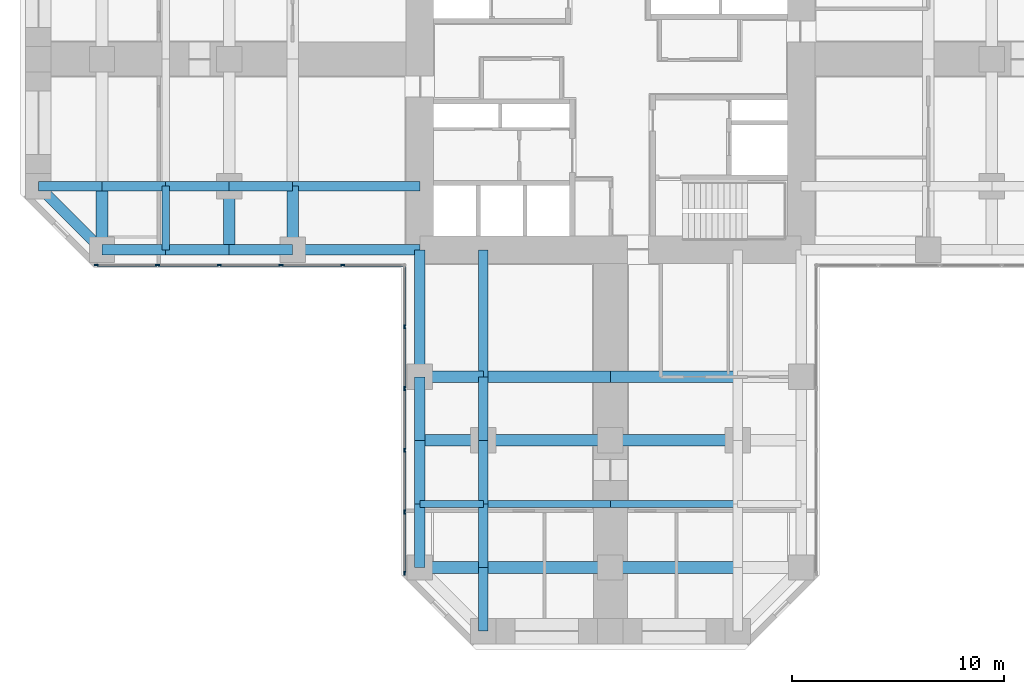
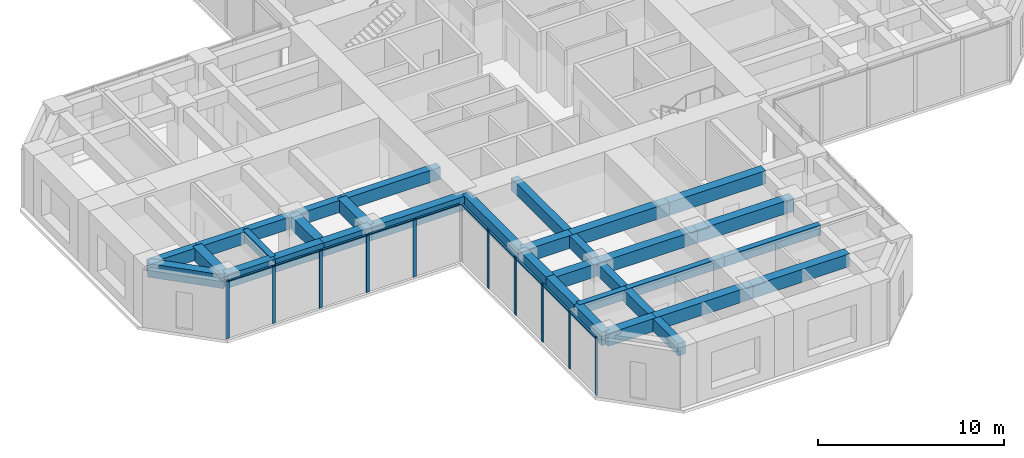
# One storey, part 2 of 13: 35 beams, 20 members, 2 elements without a shape of their own.
"""IFC4 building model written with IfcOpenShell, lengths in metres."""

import ifcopenshell
import ifcopenshell.guid

model = None  # the IFC model being written
_history = None  # IfcOwnerHistory: only IFC2X3 demands one
_inside = {}  # id of a spatial element -> (the spatial element, [elements in it])
_under = {}  # id of a project, library or spatial element -> (it, [spatial elements below it])
_declared = {}  # id of a project -> (the project, [libraries it declares])
_typed = {}  # id of a type object -> (the type object, [elements of that type])
_made_of = {}  # id of a material, layer set ... -> (it, [elements and type objects made of it])


def new_model(schema):
    """Start an empty IFC model of exactly this schema.

    Asked for "IFC4X3", IfcOpenShell would pick the latest addendum, in which some entities
    have other attributes; the version numbers below select the first issue.
    IFC2X3 requires an IfcOwnerHistory on every rooted entity: one is made here for all.
    """
    global model, _history
    if schema == "IFC4X3":
        model = ifcopenshell.file(schema_version=(4, 3, 0, 0))
    else:
        model = ifcopenshell.file(schema=schema)
    _inside.clear()
    _under.clear()
    _declared.clear()
    _typed.clear()
    _made_of.clear()
    _history = None
    if model.schema == "IFC2X3":
        org = make("IfcOrganization", Name="unknown")
        user = make(
            "IfcPersonAndOrganization",
            ThePerson=make("IfcPerson", FamilyName="unknown"),
            TheOrganization=org,
        )
        app = make(
            "IfcApplication",
            ApplicationDeveloper=org,
            Version="unknown",
            ApplicationFullName="unknown",
            ApplicationIdentifier="unknown",
        )
        _history = make(
            "IfcOwnerHistory",
            OwningUser=user,
            OwningApplication=app,
            ChangeAction="ADDED",
            CreationDate=0,
        )
    return model


def make(cls, **values):
    """One entity of the class cls with the attributes given. An attribute that is None is left unset."""
    return model.create_entity(
        cls, **{name: value for name, value in values.items() if value is not None}
    )


def rooted(cls, **values):
    """An entity with a GlobalId (a new one), such as an element, a storey or a relation."""
    return make(cls, GlobalId=ifcopenshell.guid.new(), OwnerHistory=_history, **values)


def si_unit(unit_type, name, prefix=None):
    """IfcSIUnit, for example si_unit("LENGTHUNIT", "METRE", prefix="MILLI")."""
    return make("IfcSIUnit", UnitType=unit_type, Prefix=prefix, Name=name)


def assignment(units):
    """IfcUnitAssignment: the units of a project."""
    return None if units is None else make("IfcUnitAssignment", Units=units)


def point(xyz):
    """IfcCartesianPoint."""
    return None if xyz is None else make("IfcCartesianPoint", Coordinates=xyz)


def direction(xyz):
    """IfcDirection."""
    return None if xyz is None else make("IfcDirection", DirectionRatios=xyz)


def frame(location, z_axis=None, x_axis=None):
    """IfcAxis2Placement3D, a coordinate frame: its origin and axes. An axis left out is left unset."""
    return make(
        "IfcAxis2Placement3D",
        Location=point(location),
        Axis=direction(z_axis),
        RefDirection=direction(x_axis),
    )


def frame_2d(location, x_axis=None):
    """IfcAxis2Placement2D, a coordinate frame in the plane: its origin and x axis."""
    return make(
        "IfcAxis2Placement2D", Location=point(location), RefDirection=direction(x_axis)
    )


def origin():
    """The frame at (0, 0, 0) with its axes left unset."""
    return frame((0.0, 0.0, 0.0))


def origin_2d():
    """The frame at (0, 0) in the plane with its x axis left unset."""
    return frame_2d((0.0, 0.0))


def place(relative_to, where):
    """IfcLocalPlacement: puts the frame where relative to a parent placement (None: the world)."""
    return make(
        "IfcLocalPlacement", PlacementRelTo=relative_to, RelativePlacement=where
    )


def context(
    kind, dimensions, precision=None, world=None, true_north=None, identifier=None
):
    """IfcGeometricRepresentationContext, for example the 3D "Model" context."""
    return make(
        "IfcGeometricRepresentationContext",
        ContextIdentifier=identifier,
        ContextType=kind,
        CoordinateSpaceDimension=dimensions,
        Precision=precision,
        WorldCoordinateSystem=world,
        TrueNorth=true_north,
    )


def subcontext(parent, identifier, kind, view, scale=None):
    """IfcGeometricRepresentationSubContext, for example "Body" below "Model"."""
    return make(
        "IfcGeometricRepresentationSubContext",
        ContextIdentifier=identifier,
        ContextType=kind,
        ParentContext=parent,
        TargetScale=scale,
        TargetView=view,
    )


def project(units=None, contexts=None):
    """IfcProject with its units and contexts."""
    return rooted(
        "IfcProject",
        Name="project",
        RepresentationContexts=contexts,
        UnitsInContext=assignment(units),
    )


def spatial(cls, under=None, at=None, **own):
    """A site, building, storey or space (cls), placed at a placement, below another one or the project."""
    s = rooted(cls, ObjectPlacement=at, **own)
    if under is not None:
        _under.setdefault(under.id(), (under, []))[1].append(s)
    return s


def profile(cls, at=None, kind="AREA", **sizes):
    """A parametric profile (cls). Its sizes go by their IFC names, for example OverallWidth=200.0."""
    return make(cls, ProfileType=kind, Position=at, **sizes)


def rectangle(**sizes):
    """IfcRectangleProfileDef."""
    return profile("IfcRectangleProfileDef", **sizes)


def extrude(swept, where, along, depth):
    """IfcExtrudedAreaSolid: the profile swept, set in the frame where, extruded along a direction by depth."""
    return make(
        "IfcExtrudedAreaSolid",
        SweptArea=swept,
        Position=where,
        ExtrudedDirection=direction(along),
        Depth=depth,
    )


def shape(context_of_items, identifier, shape_type, items):
    """IfcShapeRepresentation: the items that make up one representation, for example the "Body"."""
    return make(
        "IfcShapeRepresentation",
        ContextOfItems=context_of_items,
        RepresentationIdentifier=identifier,
        RepresentationType=shape_type,
        Items=items,
    )


def material(Name=None, Category=None):
    """IfcMaterial."""
    return make("IfcMaterial", Name=Name, Category=Category)


def material_profile(
    of_material, cross_section, Name=None, Category=None, Priority=None
):
    """IfcMaterialProfile: a cross section and its material."""
    return make(
        "IfcMaterialProfile",
        Name=Name,
        Material=of_material,
        Profile=cross_section,
        Priority=Priority,
        Category=Category,
    )


def profile_set(profiles, Name=None, composite=None):
    """IfcMaterialProfileSet."""
    return make(
        "IfcMaterialProfileSet",
        Name=Name,
        MaterialProfiles=profiles,
        CompositeProfile=composite,
    )


def made_of(thing, what):
    """Note that an element or type object is made of a material, layer set ...; save() writes the relation."""
    if what is not None:
        _made_of.setdefault(what.id(), (what, []))[1].append(thing)
    return thing


def type_object(cls, material=None, **own):
    """A type object (cls), such as IfcWallType, which elements share."""
    return made_of(rooted(cls, **own), material)


def element(
    cls,
    number,
    at=None,
    inside=None,
    cuts=None,
    type_object=None,
    material=None,
    context=None,
    identifier="Body",
    shape_type=None,
    held_by="IfcProductDefinitionShape",
    body=None,
    shapes=None,
    **own,
):
    """One element of the class cls, such as IfcWall. Its Tag is "e" and its number.

    at: its placement. inside: the storey or other place that contains it. cuts: it is an
    opening in that element (IfcRelVoidsElement). A single representation is given by context,
    identifier, shape_type and body (its items); several are given by shapes. held_by: the class
    of the entity that holds the representations. save() writes the other relations.
    """
    e = rooted(cls, Tag="e%d" % number, ObjectPlacement=at, **own)
    if body is not None:
        shapes = [shape(context, identifier, shape_type, body)]
    if shapes is not None:
        e.Representation = make(held_by, Representations=shapes)
    if inside is not None:
        _inside.setdefault(inside.id(), (inside, []))[1].append(e)
    if cuts is not None:
        rooted(
            "IfcRelVoidsElement", RelatingBuildingElement=cuts, RelatedOpeningElement=e
        )
    if type_object is not None:
        _typed.setdefault(type_object.id(), (type_object, []))[1].append(e)
    return made_of(e, material)


def aggregate(whole, parts):
    """IfcRelAggregates: a whole, such as a stair, and the parts it consists of."""
    return rooted("IfcRelAggregates", RelatingObject=whole, RelatedObjects=parts)


def save(model, path):
    """Write the relations noted so far, then the file.

    IfcRelAggregates (storeys below a building ...), IfcRelContainedInSpatialStructure (elements
    in a storey), IfcRelDefinesByType, IfcRelAssociatesMaterial and IfcRelDeclares: one each for
    every whole, place, type object, material and project.
    """
    for whole, parts in _under.values():
        aggregate(whole, parts)
    for where, things in _inside.values():
        rooted(
            "IfcRelContainedInSpatialStructure",
            RelatedElements=things,
            RelatingStructure=where,
        )
    for kind, things in _typed.values():
        rooted("IfcRelDefinesByType", RelatedObjects=things, RelatingType=kind)
    for what, things in _made_of.values():
        rooted("IfcRelAssociatesMaterial", RelatedObjects=things, RelatingMaterial=what)
    for by, libraries in _declared.values():
        rooted("IfcRelDeclares", RelatingContext=by, RelatedDefinitions=libraries)
    model.write(path)


model = new_model("IFC4")

# Units and contexts
model_context = context("Model", 3, precision=1e-05, world=origin(), true_north=direction((0.0, 1.0)))
body_context = subcontext(model_context, "Body", "Model", "MODEL_VIEW")
ifc_project = project(units=[si_unit("LENGTHUNIT", "METRE"), si_unit("AREAUNIT", "SQUARE_METRE"), si_unit("VOLUMEUNIT", "CUBIC_METRE"), si_unit("PLANEANGLEUNIT", "RADIAN"), si_unit("MASSUNIT", "GRAM", prefix="KILO")], contexts=[model_context])

# Site, building, storey
site_placement = place(None, origin())
site = spatial("IfcSite", under=ifc_project, at=site_placement, CompositionType="ELEMENT")
building_placement = place(site_placement, origin())
building = spatial("IfcBuilding", under=site, at=building_placement, Name="Torre Cruceta", CompositionType="ELEMENT")
storey_placement = place(building_placement, frame((0.0, 0.0, 27.5)))
storey = spatial("IfcBuildingStorey", under=building, at=storey_placement, Name="L06", CompositionType="ELEMENT", Elevation=27.5)

# Beams
ifc_material_1 = material(Name="Concrete G60 (fck 60 MPa)", Category="concrete")
ifc_material_profile_1 = material_profile(ifc_material_1, rectangle(XDim=0.449951171875, YDim=0.800048828125, at=origin_2d()), Name="RC 450X800")
ifc_profile_set_1 = profile_set([ifc_material_profile_1], Name="Concrete G60 (fck 60 MPa)")
beam_type_1 = type_object("IfcBeamType", Name="COLUMN LINE BEAM RC 450X800", PredefinedType="BEAM", material=ifc_profile_set_1)
beam_1_placement = place(storey_placement, frame((-6.0, -9.0, 3.39990234375), z_axis=(0.0, -1.0, 0.0), x_axis=(1.0, 0.0, 0.0)))
element("IfcBeam", 1, at=beam_1_placement, inside=storey, type_object=beam_type_1, Name="LB1 L06 S col- 1", PredefinedType="BEAM", context=body_context, shape_type="SweptSolid", body=[
    extrude(rectangle(XDim=0.449951171875, YDim=0.800048828125, at=origin_2d()), origin(), (0.0, 0.0, 1.0), 6.0),
])
for number, where, z_axis, x_axis, name in (
    (2, (-6.0, -15.0, 3.39990234375), (0.0, -1.0, 0.0), (1.0, 0.0, 0.0), "LB1 L06 S col- 2"),
    (3, (-6.0, -18.0, 3.39990234375), (0.0, -1.0, 0.0), (1.0, 0.0, 0.0), "LB1 L06 S col- 3"),
    (4, (-6.0, -21.0, 3.39990234375), (0.0, -1.0, 0.0), (1.0, 0.0, 0.0), "LB1 L06 S col- 4"),
    (5, (-6.0, -24.0, 3.39990234375), (0.0, -1.0, 0.0), (1.0, 0.0, 0.0), "LB1 L06 S col- 5"),
):
    element("IfcBeam", number, at=place(storey_placement, frame(where, z_axis=z_axis, x_axis=x_axis)), inside=storey, type_object=beam_type_1, Name=name, PredefinedType="BEAM", context=body_context, shape_type="SweptSolid", body=[
        extrude(rectangle(XDim=0.449951171875, YDim=0.800048828125, at=origin_2d()), origin(), (0.0, 0.0, 1.0), 3.0),
    ])
beam_2_placement = place(storey_placement, frame((-9.0, -6.0, 3.39990234375), z_axis=(-1.0, 0.0, 0.0), x_axis=(0.0, -1.0, 0.0)))
element("IfcBeam", 6, at=beam_2_placement, inside=storey, type_object=beam_type_1, Name="LB1 L06 W col+ 1", PredefinedType="BEAM", context=body_context, shape_type="SweptSolid", body=[
    extrude(rectangle(XDim=0.449951171875, YDim=0.800048828125, at=origin_2d()), origin(), (0.0, 0.0, 1.0), 6.0),
])
for number, where, z_axis, x_axis, name in (
    (7, (-15.0, -6.0, 3.39990234375), (-1.0, 0.0, 0.0), (0.0, -1.0, 0.0), "LB1 L06 W col+ 2"),
    (8, (-18.0, -6.0, 3.39990234375), (-1.0, 0.0, 0.0), (0.0, -1.0, 0.0), "LB1 L06 W col+ 3"),
    (9, (-21.0, -6.0, 3.39990234375), (-1.0, 0.0, 0.0), (0.0, -1.0, 0.0), "LB1 L06 W col+ 4"),
    (10, (-24.0, -6.0, 3.39990234375), (-1.0, 0.0, 0.0), (0.0, -1.0, 0.0), "LB1 L06 W col+ 5"),
):
    element("IfcBeam", number, at=place(storey_placement, frame(where, z_axis=z_axis, x_axis=x_axis)), inside=storey, type_object=beam_type_1, Name=name, PredefinedType="BEAM", context=body_context, shape_type="SweptSolid", body=[
        extrude(rectangle(XDim=0.449951171875, YDim=0.800048828125, at=origin_2d()), origin(), (0.0, 0.0, 1.0), 3.0),
    ])
ifc_material_2 = material(Name="Concrete G60 (fck 60 MPa)", Category="concrete")
ifc_material_profile_2 = material_profile(ifc_material_2, rectangle(XDim=0.550048828125, YDim=0.85009765625, at=origin_2d()), Name="RC 550X850")
ifc_profile_set_2 = profile_set([ifc_material_profile_2], Name="Concrete G60 (fck 60 MPa)")
beam_type_2 = type_object("IfcBeamType", Name="CROSS BEAM RC 550X850", PredefinedType="BEAM", material=ifc_profile_set_2)
beam_3_placement = place(storey_placement, frame((-9.0, -15.0, 3.375), z_axis=(1.0, 0.0, 0.0), x_axis=(0.0, 1.0, 0.0)))
element("IfcBeam", 11, at=beam_3_placement, inside=storey, type_object=beam_type_2, Name="GB4 L06 S cross15 1", PredefinedType="BEAM", context=body_context, shape_type="SweptSolid", body=[
    extrude(rectangle(XDim=0.550048828125, YDim=0.85009765625, at=origin_2d()), origin(), (0.0, 0.0, 1.0), 3.0),
])
for number, where, z_axis, x_axis, name in (
    (12, (-6.0, -15.0, 3.375), (1.0, 0.0, 0.0), (0.0, 1.0, 0.0), "GB4 L06 S cross15 2"),
    (13, (0.0, -15.0, 3.375), (1.0, 0.0, 0.0), (0.0, 1.0, 0.0), "GB4 L06 S cross15 3"),
):
    element("IfcBeam", number, at=place(storey_placement, frame(where, z_axis=z_axis, x_axis=x_axis)), inside=storey, type_object=beam_type_2, Name=name, PredefinedType="BEAM", context=body_context, shape_type="SweptSolid", body=[
        extrude(rectangle(XDim=0.550048828125, YDim=0.85009765625, at=origin_2d()), origin(), (0.0, 0.0, 1.0), 6.0),
    ])
beam_4_placement = place(storey_placement, frame((-9.0, -18.0, 3.375), z_axis=(1.0, 0.0, 0.0), x_axis=(0.0, 1.0, 0.0)))
element("IfcBeam", 14, at=beam_4_placement, inside=storey, type_object=beam_type_2, Name="GB4 L06 S cross18 1", PredefinedType="BEAM", context=body_context, shape_type="SweptSolid", body=[
    extrude(rectangle(XDim=0.550048828125, YDim=0.85009765625, at=origin_2d()), origin(), (0.0, 0.0, 1.0), 3.0),
])
for number, where, z_axis, x_axis, name in (
    (15, (-6.0, -18.0, 3.375), (1.0, 0.0, 0.0), (0.0, 1.0, 0.0), "GB4 L06 S cross18 2"),
    (16, (0.0, -18.0, 3.375), (1.0, 0.0, 0.0), (0.0, 1.0, 0.0), "GB4 L06 S cross18 3"),
):
    element("IfcBeam", number, at=place(storey_placement, frame(where, z_axis=z_axis, x_axis=x_axis)), inside=storey, type_object=beam_type_2, Name=name, PredefinedType="BEAM", context=body_context, shape_type="SweptSolid", body=[
        extrude(rectangle(XDim=0.550048828125, YDim=0.85009765625, at=origin_2d()), origin(), (0.0, 0.0, 1.0), 6.0),
    ])
beam_5_placement = place(storey_placement, frame((-9.0, -24.0, 3.375), z_axis=(1.0, 0.0, 0.0), x_axis=(0.0, 1.0, 0.0)))
element("IfcBeam", 17, at=beam_5_placement, inside=storey, type_object=beam_type_2, Name="GB4 L06 S cross24 1", PredefinedType="BEAM", context=body_context, shape_type="SweptSolid", body=[
    extrude(rectangle(XDim=0.550048828125, YDim=0.85009765625, at=origin_2d()), origin(), (0.0, 0.0, 1.0), 3.0),
])
for number, where, z_axis, x_axis, name in (
    (18, (-6.0, -24.0, 3.375), (1.0, 0.0, 0.0), (0.0, 1.0, 0.0), "GB4 L06 S cross24 2"),
    (19, (0.0, -24.0, 3.375), (1.0, 0.0, 0.0), (0.0, 1.0, 0.0), "GB4 L06 S cross24 3"),
):
    element("IfcBeam", number, at=place(storey_placement, frame(where, z_axis=z_axis, x_axis=x_axis)), inside=storey, type_object=beam_type_2, Name=name, PredefinedType="BEAM", context=body_context, shape_type="SweptSolid", body=[
        extrude(rectangle(XDim=0.550048828125, YDim=0.85009765625, at=origin_2d()), origin(), (0.0, 0.0, 1.0), 6.0),
    ])
for number, where, z_axis, x_axis, name in (
    (20, (-15.0, -6.0, 3.375), (0.0, -1.0, 0.0), (1.0, 0.0, 0.0), "GB4 L06 W cross15 4"),
    (21, (-18.0, -6.0, 3.375), (0.0, -1.0, 0.0), (1.0, 0.0, 0.0), "GB4 L06 W cross18 4"),
    (22, (-24.0, -6.0, 3.375), (0.0, -1.0, 0.0), (1.0, 0.0, 0.0), "GB4 L06 W cross24 4"),
):
    element("IfcBeam", number, at=place(storey_placement, frame(where, z_axis=z_axis, x_axis=x_axis)), inside=storey, type_object=beam_type_2, Name=name, PredefinedType="BEAM", context=body_context, shape_type="SweptSolid", body=[
        extrude(rectangle(XDim=0.550048828125, YDim=0.85009765625, at=origin_2d()), origin(), (0.0, 0.0, 1.0), 3.0),
    ])

# Curtain wall, members
ifc_material_3 = material(Name="Aluminium unitised curtain wall", Category="aluminium")
curtain_wall_type = type_object("IfcCurtainWallType", Name="CURTAIN WALL CW-A OFFICE LOW RISE", PredefinedType="USERDEFINED", material=ifc_material_3)
curtain_wall_1_placement = place(storey_placement, origin())
curtain_wall_1 = element("IfcCurtainWall", 23, at=curtain_wall_1_placement, inside=storey, type_object=curtain_wall_type, Name="CW-A L06 W side 14", ObjectType="UNITISED", PredefinedType="USERDEFINED")
ifc_material_4 = material(Name="Aluminium mullion", Category="aluminium")
ifc_material_profile_3 = material_profile(ifc_material_4, rectangle(XDim=0.06494140625, YDim=0.199951171875, at=origin_2d()), Name="AL 65X200")
ifc_profile_set_3 = profile_set([ifc_material_profile_3], Name="Aluminium mullion")
member_type_1 = type_object("IfcMemberType", Name="CW-A MULLION 65X200", PredefinedType="MULLION", material=ifc_profile_set_3)
member_1_placement = place(storey_placement, frame((-24.265625, -9.719970703125, 0.0), z_axis=(0.0, 0.0, 1.0), x_axis=(0.0, 1.0, 0.0)))
member_1 = element("IfcMember", 24, at=member_1_placement, type_object=member_type_1, Name="CW-A mullion 1", PredefinedType="MULLION", context=body_context, shape_type="SweptSolid", body=[
    extrude(rectangle(XDim=0.06494140625, YDim=0.199951171875, at=origin_2d()), origin(), (0.0, 0.0, 1.0), 3.800048828125),
])
member_2_placement = place(storey_placement, frame((-21.382568359375, -9.719970703125, 0.0), z_axis=(0.0, 0.0, 1.0), x_axis=(0.0, 1.0, 0.0)))
member_2 = element("IfcMember", 25, at=member_2_placement, type_object=member_type_1, Name="CW-A mullion 2", PredefinedType="MULLION", context=body_context, shape_type="SweptSolid", body=[
    extrude(rectangle(XDim=0.06494140625, YDim=0.199951171875, at=origin_2d()), origin(), (0.0, 0.0, 1.0), 3.800048828125),
])
member_3_placement = place(storey_placement, frame((-18.467041015625, -9.719970703125, 0.0), z_axis=(0.0, 0.0, 1.0), x_axis=(0.0, 1.0, 0.0)))
member_3 = element("IfcMember", 26, at=member_3_placement, type_object=member_type_1, Name="CW-A mullion 3", PredefinedType="MULLION", context=body_context, shape_type="SweptSolid", body=[
    extrude(rectangle(XDim=0.06494140625, YDim=0.199951171875, at=origin_2d()), origin(), (0.0, 0.0, 1.0), 3.800048828125),
])
member_4_placement = place(storey_placement, frame((-15.55126953125, -9.719970703125, 0.0), z_axis=(0.0, 0.0, 1.0), x_axis=(0.0, 1.0, 0.0)))
member_4 = element("IfcMember", 27, at=member_4_placement, type_object=member_type_1, Name="CW-A mullion 4", PredefinedType="MULLION", context=body_context, shape_type="SweptSolid", body=[
    extrude(rectangle(XDim=0.06494140625, YDim=0.199951171875, at=origin_2d()), origin(), (0.0, 0.0, 1.0), 3.800048828125),
])
member_5_placement = place(storey_placement, frame((-12.6357421875, -9.719970703125, 0.0), z_axis=(0.0, 0.0, 1.0), x_axis=(0.0, 1.0, 0.0)))
member_5 = element("IfcMember", 28, at=member_5_placement, type_object=member_type_1, Name="CW-A mullion 5", PredefinedType="MULLION", context=body_context, shape_type="SweptSolid", body=[
    extrude(rectangle(XDim=0.06494140625, YDim=0.199951171875, at=origin_2d()), origin(), (0.0, 0.0, 1.0), 3.800048828125),
])

curtain_wall_2_placement = place(storey_placement, origin())
curtain_wall_2 = element("IfcCurtainWall", 29, at=curtain_wall_2_placement, inside=storey, type_object=curtain_wall_type, Name="CW-A L06 S side 15", ObjectType="UNITISED", PredefinedType="USERDEFINED")
member_6_placement = place(storey_placement, frame((-9.719970703125, -12.6357421875, 0.0), z_axis=(0.0, 0.0, 1.0), x_axis=(1.0, 0.0, 0.0)))
member_6 = element("IfcMember", 30, at=member_6_placement, type_object=member_type_1, Name="CW-A mullion 2", PredefinedType="MULLION", context=body_context, shape_type="SweptSolid", body=[
    extrude(rectangle(XDim=0.06494140625, YDim=0.199951171875, at=origin_2d()), origin(), (0.0, 0.0, 1.0), 3.800048828125),
])
member_7_placement = place(storey_placement, frame((-9.719970703125, -15.55126953125, 0.0), z_axis=(0.0, 0.0, 1.0), x_axis=(1.0, 0.0, 0.0)))
member_7 = element("IfcMember", 31, at=member_7_placement, type_object=member_type_1, Name="CW-A mullion 3", PredefinedType="MULLION", context=body_context, shape_type="SweptSolid", body=[
    extrude(rectangle(XDim=0.06494140625, YDim=0.199951171875, at=origin_2d()), origin(), (0.0, 0.0, 1.0), 3.800048828125),
])
member_8_placement = place(storey_placement, frame((-9.719970703125, -18.467041015625, 0.0), z_axis=(0.0, 0.0, 1.0), x_axis=(1.0, 0.0, 0.0)))
member_8 = element("IfcMember", 32, at=member_8_placement, type_object=member_type_1, Name="CW-A mullion 4", PredefinedType="MULLION", context=body_context, shape_type="SweptSolid", body=[
    extrude(rectangle(XDim=0.06494140625, YDim=0.199951171875, at=origin_2d()), origin(), (0.0, 0.0, 1.0), 3.800048828125),
])
member_9_placement = place(storey_placement, frame((-9.719970703125, -21.382568359375, 0.0), z_axis=(0.0, 0.0, 1.0), x_axis=(1.0, 0.0, 0.0)))
member_9 = element("IfcMember", 33, at=member_9_placement, type_object=member_type_1, Name="CW-A mullion 5", PredefinedType="MULLION", context=body_context, shape_type="SweptSolid", body=[
    extrude(rectangle(XDim=0.06494140625, YDim=0.199951171875, at=origin_2d()), origin(), (0.0, 0.0, 1.0), 3.800048828125),
])
member_10_placement = place(storey_placement, frame((-9.719970703125, -24.265625, 0.0), z_axis=(0.0, 0.0, 1.0), x_axis=(1.0, 0.0, 0.0)))
member_10 = element("IfcMember", 34, at=member_10_placement, type_object=member_type_1, Name="CW-A mullion 6", PredefinedType="MULLION", context=body_context, shape_type="SweptSolid", body=[
    extrude(rectangle(XDim=0.06494140625, YDim=0.199951171875, at=origin_2d()), origin(), (0.0, 0.0, 1.0), 3.800048828125),
])

# Member
ifc_material_5 = material(Name="Aluminium transom", Category="aluminium")
ifc_material_profile_4 = material_profile(ifc_material_5, rectangle(XDim=0.1201171875, YDim=0.06494140625, at=origin_2d()), Name="AL 120X65")
ifc_profile_set_4 = profile_set([ifc_material_profile_4], Name="Aluminium transom")
member_type_2 = type_object("IfcMemberType", Name="CW-A TRANSOM 65X120", PredefinedType="USERDEFINED", material=ifc_profile_set_4)
member_11_placement = place(storey_placement, frame((-24.233154296875, -9.719970703125, 3.767578125), z_axis=(1.0, 0.0, 0.0), x_axis=(0.0, 1.0, 0.0)))
member_11 = element("IfcMember", 35, at=member_11_placement, type_object=member_type_2, Name="CW-A transom 1", ObjectType="TRANSOM", PredefinedType="USERDEFINED", context=body_context, shape_type="SweptSolid", body=[
    extrude(rectangle(XDim=0.1201171875, YDim=0.06494140625, at=origin_2d()), origin(), (0.0, 0.0, 1.0), 2.818115234375),
])

member_12_placement = place(storey_placement, frame((-21.35009765625, -9.719970703125, 3.767578125), z_axis=(1.0, 0.0, 0.0), x_axis=(0.0, 1.0, 0.0)))
member_12 = element("IfcMember", 36, at=member_12_placement, type_object=member_type_2, Name="CW-A transom 2", ObjectType="TRANSOM", PredefinedType="USERDEFINED", context=body_context, shape_type="SweptSolid", body=[
    extrude(rectangle(XDim=0.1201171875, YDim=0.06494140625, at=origin_2d()), origin(), (0.0, 0.0, 1.0), 2.8505859375),
])

member_13_placement = place(storey_placement, frame((-18.434326171875, -9.719970703125, 3.767578125), z_axis=(1.0, 0.0, 0.0), x_axis=(0.0, 1.0, 0.0)))
member_13 = element("IfcMember", 37, at=member_13_placement, type_object=member_type_2, Name="CW-A transom 3", ObjectType="TRANSOM", PredefinedType="USERDEFINED", context=body_context, shape_type="SweptSolid", body=[
    extrude(rectangle(XDim=0.1201171875, YDim=0.06494140625, at=origin_2d()), origin(), (0.0, 0.0, 1.0), 2.8505859375),
])

member_14_placement = place(storey_placement, frame((-15.518798828125, -9.719970703125, 3.767578125), z_axis=(1.0, 0.0, 0.0), x_axis=(0.0, 1.0, 0.0)))
member_14 = element("IfcMember", 38, at=member_14_placement, type_object=member_type_2, Name="CW-A transom 4", ObjectType="TRANSOM", PredefinedType="USERDEFINED", context=body_context, shape_type="SweptSolid", body=[
    extrude(rectangle(XDim=0.1201171875, YDim=0.06494140625, at=origin_2d()), origin(), (0.0, 0.0, 1.0), 2.8505859375),
])

member_15_placement = place(storey_placement, frame((-12.60302734375, -9.719970703125, 3.767578125), z_axis=(1.0, 0.0, 0.0), x_axis=(0.0, 1.0, 0.0)))
member_15 = element("IfcMember", 39, at=member_15_placement, type_object=member_type_2, Name="CW-A transom 5", ObjectType="TRANSOM", PredefinedType="USERDEFINED", context=body_context, shape_type="SweptSolid", body=[
    extrude(rectangle(XDim=0.1201171875, YDim=0.06494140625, at=origin_2d()), origin(), (0.0, 0.0, 1.0), 2.818115234375),
])

aggregate(curtain_wall_1, [member_1, member_2, member_3, member_4, member_5, member_11, member_12, member_13, member_14, member_15])

member_16_placement = place(storey_placement, frame((-9.719970703125, -9.784912109375, 3.767578125), z_axis=(0.0, -1.0, 0.0), x_axis=(1.0, 0.0, 0.0)))
member_16 = element("IfcMember", 40, at=member_16_placement, type_object=member_type_2, Name="CW-A transom 1", ObjectType="TRANSOM", PredefinedType="USERDEFINED", context=body_context, shape_type="SweptSolid", body=[
    extrude(rectangle(XDim=0.1201171875, YDim=0.06494140625, at=origin_2d()), origin(), (0.0, 0.0, 1.0), 2.818115234375),
])

member_17_placement = place(storey_placement, frame((-9.719970703125, -12.668212890625, 3.767578125), z_axis=(0.0, -1.0, 0.0), x_axis=(1.0, 0.0, 0.0)))
member_17 = element("IfcMember", 41, at=member_17_placement, type_object=member_type_2, Name="CW-A transom 2", ObjectType="TRANSOM", PredefinedType="USERDEFINED", context=body_context, shape_type="SweptSolid", body=[
    extrude(rectangle(XDim=0.1201171875, YDim=0.06494140625, at=origin_2d()), origin(), (0.0, 0.0, 1.0), 2.8505859375),
])

member_18_placement = place(storey_placement, frame((-9.719970703125, -15.583740234375, 3.767578125), z_axis=(0.0, -1.0, 0.0), x_axis=(1.0, 0.0, 0.0)))
member_18 = element("IfcMember", 42, at=member_18_placement, type_object=member_type_2, Name="CW-A transom 3", ObjectType="TRANSOM", PredefinedType="USERDEFINED", context=body_context, shape_type="SweptSolid", body=[
    extrude(rectangle(XDim=0.1201171875, YDim=0.06494140625, at=origin_2d()), origin(), (0.0, 0.0, 1.0), 2.8505859375),
])

member_19_placement = place(storey_placement, frame((-9.719970703125, -18.49951171875, 3.767578125), z_axis=(0.0, -1.0, 0.0), x_axis=(1.0, 0.0, 0.0)))
member_19 = element("IfcMember", 43, at=member_19_placement, type_object=member_type_2, Name="CW-A transom 4", ObjectType="TRANSOM", PredefinedType="USERDEFINED", context=body_context, shape_type="SweptSolid", body=[
    extrude(rectangle(XDim=0.1201171875, YDim=0.06494140625, at=origin_2d()), origin(), (0.0, 0.0, 1.0), 2.8505859375),
])

member_20_placement = place(storey_placement, frame((-9.719970703125, -21.4150390625, 3.767578125), z_axis=(0.0, -1.0, 0.0), x_axis=(1.0, 0.0, 0.0)))
member_20 = element("IfcMember", 44, at=member_20_placement, type_object=member_type_2, Name="CW-A transom 5", ObjectType="TRANSOM", PredefinedType="USERDEFINED", context=body_context, shape_type="SweptSolid", body=[
    extrude(rectangle(XDim=0.1201171875, YDim=0.06494140625, at=origin_2d()), origin(), (0.0, 0.0, 1.0), 2.818115234375),
])

aggregate(curtain_wall_2, [member_6, member_7, member_8, member_9, member_10, member_16, member_17, member_18, member_19, member_20])

# Beams
ifc_material_6 = material(Name="Concrete G60 (fck 60 MPa)", Category="concrete")
ifc_material_profile_5 = material_profile(ifc_material_6, rectangle(XDim=0.35009765625, YDim=0.64990234375, at=origin_2d()), Name="RC 350X650")
ifc_profile_set_5 = profile_set([ifc_material_profile_5], Name="Concrete G60 (fck 60 MPa)")
beam_type_3 = type_object("IfcBeamType", Name="SECONDARY BEAM RC 350X650", PredefinedType="JOIST", material=ifc_profile_set_5)
beam_6_placement = place(storey_placement, frame((-9.0, -21.0, 3.47509765625), z_axis=(1.0, 0.0, 0.0), x_axis=(0.0, 1.0, 0.0)))
element("IfcBeam", 45, at=beam_6_placement, inside=storey, type_object=beam_type_3, Name="JB3 L06 S sec21 1", PredefinedType="JOIST", context=body_context, shape_type="SweptSolid", body=[
    extrude(rectangle(XDim=0.35009765625, YDim=0.64990234375, at=origin_2d()), origin(), (0.0, 0.0, 1.0), 3.0),
])
for number, where, z_axis, x_axis, name in (
    (46, (-6.0, -21.0, 3.47509765625), (1.0, 0.0, 0.0), (0.0, 1.0, 0.0), "JB3 L06 S sec21 2"),
    (47, (0.0, -21.0, 3.47509765625), (1.0, 0.0, 0.0), (0.0, 1.0, 0.0), "JB3 L06 S sec21 3"),
):
    element("IfcBeam", number, at=place(storey_placement, frame(where, z_axis=z_axis, x_axis=x_axis)), inside=storey, type_object=beam_type_3, Name=name, PredefinedType="JOIST", context=body_context, shape_type="SweptSolid", body=[
        extrude(rectangle(XDim=0.35009765625, YDim=0.64990234375, at=origin_2d()), origin(), (0.0, 0.0, 1.0), 6.0),
    ])
beam_7_placement = place(storey_placement, frame((-21.0, -6.0, 3.47509765625), z_axis=(0.0, -1.0, 0.0), x_axis=(1.0, 0.0, 0.0)))
element("IfcBeam", 48, at=beam_7_placement, inside=storey, type_object=beam_type_3, Name="JB3 L06 W sec21 4", PredefinedType="JOIST", context=body_context, shape_type="SweptSolid", body=[
    extrude(rectangle(XDim=0.35009765625, YDim=0.64990234375, at=origin_2d()), origin(), (0.0, 0.0, 1.0), 3.0),
])
ifc_material_7 = material(Name="Concrete G60 (fck 60 MPa)", Category="concrete")
ifc_material_profile_6 = material_profile(ifc_material_7, rectangle(XDim=0.5, YDim=0.89990234375, at=origin_2d()), Name="RC 500X900")
ifc_profile_set_6 = profile_set([ifc_material_profile_6], Name="Concrete G60 (fck 60 MPa)")
beam_type_4 = type_object("IfcBeamType", Name="SPANDREL BEAM RC 500X900", PredefinedType="SPANDREL", material=ifc_profile_set_6)
beam_8_placement = place(storey_placement, frame((-9.0, -9.0, 3.35009765625), z_axis=(0.0, -1.0, 0.0), x_axis=(1.0, 0.0, 0.0)))
element("IfcBeam", 49, at=beam_8_placement, inside=storey, type_object=beam_type_4, Name="SB4 L06 S side- 1", PredefinedType="SPANDREL", context=body_context, shape_type="SweptSolid", body=[
    extrude(rectangle(XDim=0.5, YDim=0.89990234375, at=origin_2d()), origin(), (0.0, 0.0, 1.0), 6.0),
])
for number, where, z_axis, x_axis, name in (
    (50, (-9.0, -15.0, 3.35009765625), (0.0, -1.0, 0.0), (1.0, 0.0, 0.0), "SB4 L06 S side- 2"),
    (51, (-9.0, -18.0, 3.35009765625), (0.0, -1.0, 0.0), (1.0, 0.0, 0.0), "SB4 L06 S side- 3"),
    (52, (-9.0, -21.0, 3.35009765625), (0.0, -1.0, 0.0), (1.0, 0.0, 0.0), "SB4 L06 S side- 4"),
):
    element("IfcBeam", number, at=place(storey_placement, frame(where, z_axis=z_axis, x_axis=x_axis)), inside=storey, type_object=beam_type_4, Name=name, PredefinedType="SPANDREL", context=body_context, shape_type="SweptSolid", body=[
        extrude(rectangle(XDim=0.5, YDim=0.89990234375, at=origin_2d()), origin(), (0.0, 0.0, 1.0), 3.0),
    ])
beam_9_placement = place(storey_placement, frame((-9.0, -9.0, 3.35009765625), z_axis=(-1.0, 0.0, 0.0), x_axis=(0.0, -1.0, 0.0)))
element("IfcBeam", 53, at=beam_9_placement, inside=storey, type_object=beam_type_4, Name="SB4 L06 W side+ 1", PredefinedType="SPANDREL", context=body_context, shape_type="SweptSolid", body=[
    extrude(rectangle(XDim=0.5, YDim=0.89990234375, at=origin_2d()), origin(), (0.0, 0.0, 1.0), 6.0),
])
for number, where, z_axis, x_axis, name in (
    (54, (-15.0, -9.0, 3.35009765625), (-1.0, 0.0, 0.0), (0.0, -1.0, 0.0), "SB4 L06 W side+ 2"),
    (55, (-18.0, -9.0, 3.35009765625), (-1.0, 0.0, 0.0), (0.0, -1.0, 0.0), "SB4 L06 W side+ 3"),
    (56, (-21.0, -9.0, 3.35009765625), (-1.0, 0.0, 0.0), (0.0, -1.0, 0.0), "SB4 L06 W side+ 4"),
):
    element("IfcBeam", number, at=place(storey_placement, frame(where, z_axis=z_axis, x_axis=x_axis)), inside=storey, type_object=beam_type_4, Name=name, PredefinedType="SPANDREL", context=body_context, shape_type="SweptSolid", body=[
        extrude(rectangle(XDim=0.5, YDim=0.89990234375, at=origin_2d()), origin(), (0.0, 0.0, 1.0), 3.0),
    ])
beam_10_placement = place(storey_placement, frame((-24.0, -9.0, 3.35009765625), z_axis=(-0.707106781187, 0.707106781187, 0.0), x_axis=(-0.707106781187, -0.707106781187, 0.0)))
element("IfcBeam", 57, at=beam_10_placement, inside=storey, type_object=beam_type_4, Name="SB4 L06 W side+ 5", PredefinedType="SPANDREL", context=body_context, shape_type="SweptSolid", body=[
    extrude(rectangle(XDim=0.5, YDim=0.89990234375, at=origin_2d()), origin(), (0.0, 0.0, 1.0), 4.24267578125),
])

save(model, "model.ifc")
